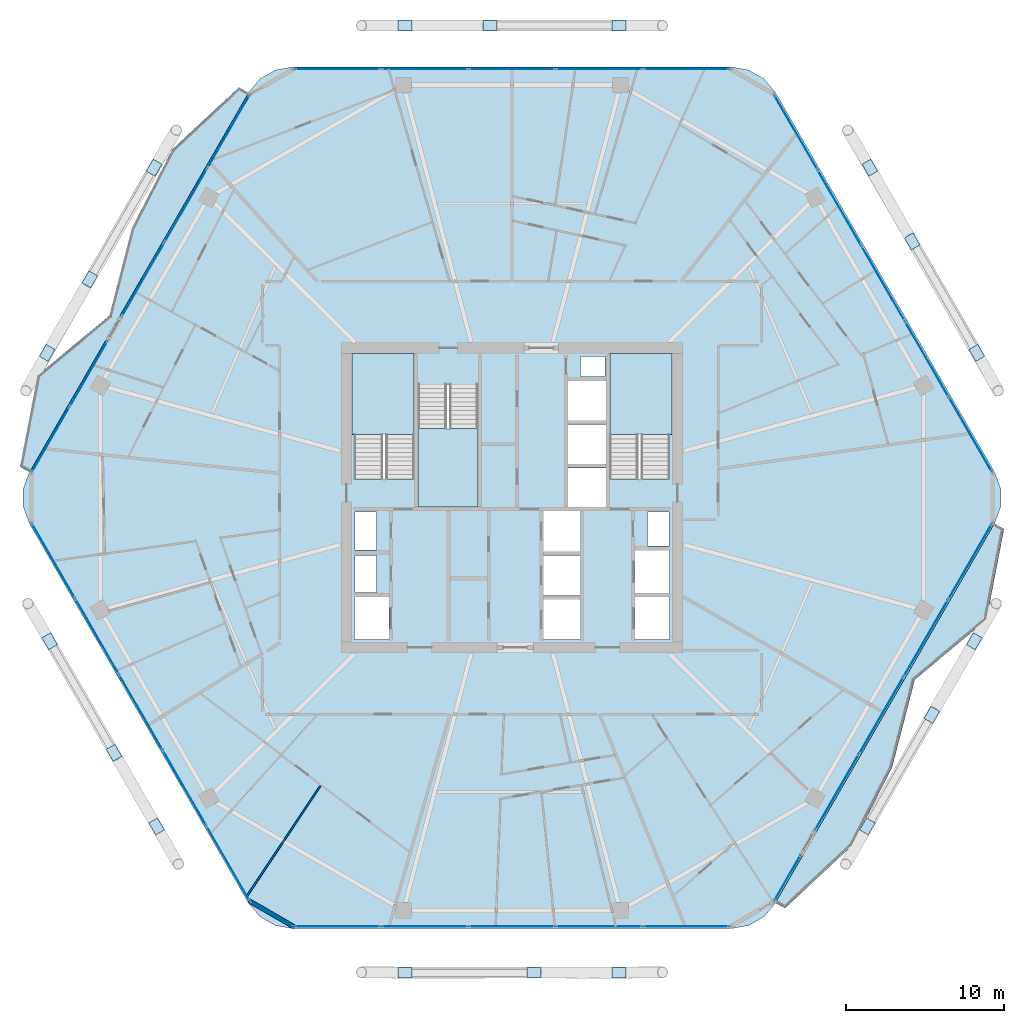
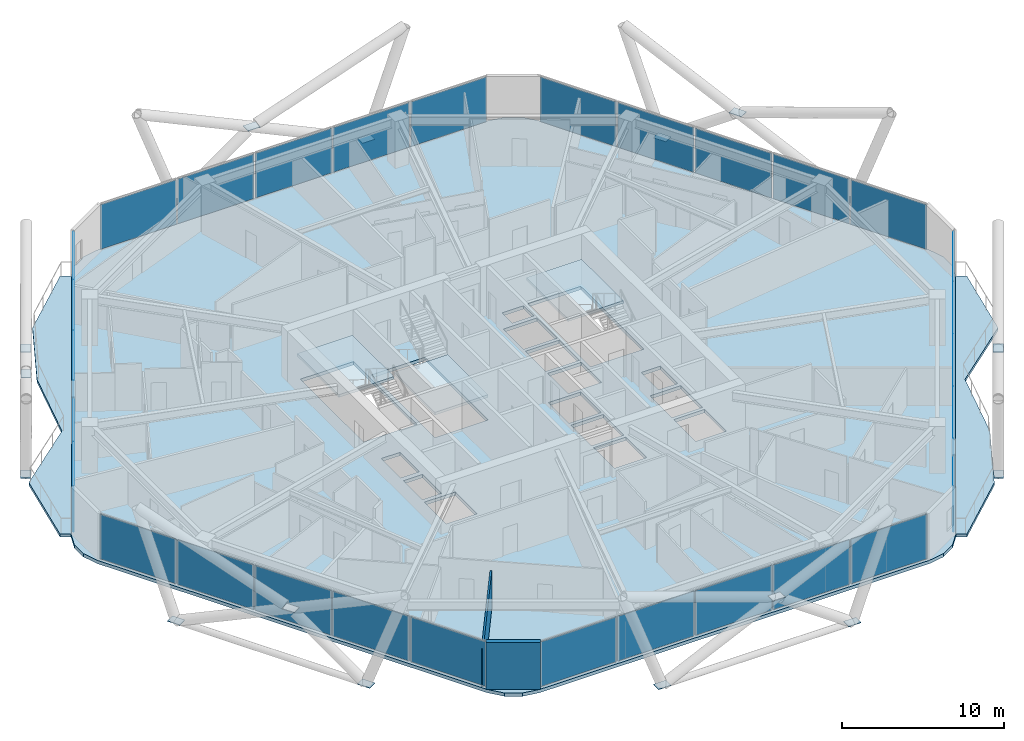
# One storey, part 19 of 28: 48 plates, 6 slabs, 2 walls, 11 elements without a shape of their own.
"""IFC4 building model written with IfcOpenShell, lengths in metres."""

from ifc_helpers import new_model, si_unit, direction, frame, frame_2d, origin, origin_2d, place, context, subcontext, project, spatial, polyline, rectangle, outline, extrude, material, layer, layer_set, type_object, element, aggregate, save


model = new_model("IFC4")

# Units and contexts
model_context = context("Model", 3, precision=1e-05, world=origin(), true_north=direction((0.0, 1.0)))
body_context = subcontext(model_context, "Body", "Model", "MODEL_VIEW")
ifc_project = project(units=[si_unit("LENGTHUNIT", "METRE"), si_unit("AREAUNIT", "SQUARE_METRE"), si_unit("VOLUMEUNIT", "CUBIC_METRE"), si_unit("PLANEANGLEUNIT", "RADIAN"), si_unit("MASSUNIT", "GRAM", prefix="KILO")], contexts=[model_context])

# Site, building, storey
site_placement = place(None, origin())
site = spatial("IfcSite", under=ifc_project, at=site_placement, CompositionType="ELEMENT")
building_placement = place(site_placement, origin())
building = spatial("IfcBuilding", under=site, at=building_placement, Name="Zuhravey Tower", CompositionType="ELEMENT")
storey_placement = place(building_placement, frame((0.0, 0.0, 154.199951171875)))
storey = spatial("IfcBuildingStorey", under=building, at=storey_placement, Name="L38", CompositionType="ELEMENT", Elevation=154.199951171875)

# Plates
ifc_material_1 = material(Name="Steel SM460", Category="steel")
ifc_layer_1 = layer(ifc_material_1, 0.035888671875)
ifc_layer_set_1 = layer_set([ifc_layer_1], Name="Steel SM460")
plate_type_1 = type_object("IfcPlateType", Name="Exoskeleton Zone 2 Node Plate ND2", PredefinedType="SHEET", material=ifc_layer_set_1)
for number, where, z_axis, x_axis, name in (
    (1, (65.477783203125, 41.189208984375, -0.48193359375), (0.0, 0.0, 1.0), (-0.5, 0.866025403784, 0.0), "L38 Exoskeleton Node Gusset L38-01"),
    (2, (58.697021484375, 52.93408203125, -0.48193359375), (0.0, 0.0, 1.0), (-0.5, 0.866025403784, 0.0), "L38 Exoskeleton Node Gusset L38-02"),
    (3, (42.781005859375, 61.943115234375, -0.48193359375), (0.0, 0.0, 1.0), (-1.0, 0.0, 0.0), "L38 Exoskeleton Node Gusset L38-03"),
    (4, (29.218994140625, 61.943115234375, -0.48193359375), (0.0, 0.0, 1.0), (-1.0, 0.0, 0.0), "L38 Exoskeleton Node Gusset L38-04"),
    (5, (13.302978515625, 52.93408203125, -0.48193359375), (0.0, 0.0, 1.0), (-0.5, -0.866025403784, 0.0), "L38 Exoskeleton Node Gusset L38-05"),
    (6, (6.522216796875, 41.189208984375, -0.48193359375), (0.0, 0.0, 1.0), (-0.5, -0.866025403784, 0.0), "L38 Exoskeleton Node Gusset L38-06"),
    (7, (6.677978515625, 22.90087890625, -0.48193359375), (0.0, 0.0, 1.0), (0.5, -0.866025403784, 0.0), "L38 Exoskeleton Node Gusset L38-07"),
    (8, (13.458984375, 11.156005859375, -0.48193359375), (0.0, 0.0, 1.0), (0.5, -0.866025403784, 0.0), "L38 Exoskeleton Node Gusset L38-08"),
    (9, (29.218994140625, 1.876953125, -0.48193359375), (0.0, 0.0, 1.0), (1.0, 0.0, 0.0), "L38 Exoskeleton Node Gusset L38-09"),
    (10, (42.781005859375, 1.876953125, -0.48193359375), (0.0, 0.0, 1.0), (1.0, 0.0, 0.0), "L38 Exoskeleton Node Gusset L38-10"),
    (11, (58.541015625, 11.156005859375, -0.48193359375), (0.0, 0.0, 1.0), (0.5, 0.866025403784, 0.0), "L38 Exoskeleton Node Gusset L38-11"),
    (12, (65.322021484375, 22.90087890625, -0.48193359375), (0.0, 0.0, 1.0), (0.5, 0.866025403784, 0.0), "L38 Exoskeleton Node Gusset L38-12"),
    (13, (61.380859375, 48.25537109375, 3.31787109375), (0.0, 0.0, 1.0), (-0.5, 0.866025403784, 0.0), "L38 Face 1 Diagrid X-Crossing Plate"),
    (14, (34.613037109375, 61.943115234375, 3.31787109375), (0.0, 0.0, 1.0), (-1.0, 0.0, 0.0), "L38 Face 2 Diagrid X-Crossing Plate"),
    (15, (9.232177734375, 45.852783203125, 3.31787109375), (0.0, 0.0, 1.0), (-0.5, -0.866025403784, 0.0), "L38 Face 3 Diagrid X-Crossing Plate"),
    (16, (10.761962890625, 15.8271484375, 3.31787109375), (0.0, 0.0, 1.0), (0.5, -0.866025403784, 0.0), "L38 Face 4 Diagrid X-Crossing Plate"),
    (17, (37.386962890625, 1.891845703125, 3.31787109375), (0.0, 0.0, 1.0), (1.0, 0.0, 0.0), "L38 Face 5 Diagrid X-Crossing Plate"),
    (18, (62.625, 18.2294921875, 3.31787109375), (0.0, 0.0, 1.0), (0.5, 0.866025403784, 0.0), "L38 Face 6 Diagrid X-Crossing Plate"),
):
    element("IfcPlate", number, at=place(storey_placement, frame(where, z_axis=z_axis, x_axis=x_axis)), inside=storey, type_object=plate_type_1, Name=name, PredefinedType="SHEET", context=body_context, shape_type="SweptSolid", body=[
        extrude(rectangle(XDim=0.8798828125, YDim=0.639892578125, at=origin_2d()), origin(), (0.0, 0.0, 1.0), 0.035888671875),
    ])

# Slabs
ifc_material_2 = material(Name="Concrete C50/60", Category="concrete")
ifc_layer_2 = layer(ifc_material_2, 0.25)
ifc_layer_set_2 = layer_set([ifc_layer_2], Name="Concrete C50/60")
slab_type_1 = type_object("IfcSlabType", Name="Residential Acoustic Slab 250", PredefinedType="FLOOR", material=ifc_layer_set_2)
slab_1_placement = place(storey_placement, frame((0.0, 0.0, -0.25)))
element("IfcSlab", 19, at=slab_1_placement, inside=storey, type_object=slab_type_1, Name="L38 Floor Slab FS25", PredefinedType="FLOOR", context=body_context, shape_type="SweptSolid", body=[
    extrude(outline(polyline([(66.61181640625, 30.375), (66.997802734375, 31.435546875), (66.997802734375, 32.564453125), (66.61181640625, 33.625), (52.713134765625, 57.697998046875), (51.98779296875, 58.562744140625), (51.01025390625, 59.127197265625), (49.898681640625, 59.322998046875), (22.101318359375, 59.322998046875), (20.98974609375, 59.127197265625), (20.01220703125, 58.562744140625), (19.286865234375, 57.697998046875), (5.38818359375, 33.625), (5.002197265625, 32.564453125), (5.002197265625, 31.435546875), (5.38818359375, 30.375), (19.286865234375, 6.302001953125), (20.01220703125, 5.437255859375), (20.98974609375, 4.872802734375), (22.101318359375, 4.677001953125), (49.898681640625, 4.677001953125), (51.01025390625, 4.872802734375), (51.98779296875, 5.437255859375), (52.713134765625, 6.302001953125), (66.61181640625, 30.375)]), holes=[polyline([(29.800048828125, 33.20068359375), (29.800048828125, 41.0), (26.0, 41.0), (26.0, 33.20068359375), (29.800048828125, 33.20068359375)]), polyline([(46.0, 33.20068359375), (46.0, 41.0), (42.199951171875, 41.0), (42.199951171875, 33.20068359375), (46.0, 33.20068359375)]), polyline([(30.050048828125, 39.199462890625), (30.050048828125, 31.39990234375), (33.85009765625, 31.39990234375), (33.85009765625, 39.199462890625), (30.050048828125, 39.199462890625)]), polyline([(38.0, 23.0), (40.300048828125, 23.0), (40.300048828125, 25.550048828125), (38.0, 25.550048828125), (38.0, 23.0)]), polyline([(38.0, 25.800048828125), (40.300048828125, 25.800048828125), (40.300048828125, 28.35009765625), (38.0, 28.35009765625), (38.0, 25.800048828125)]), polyline([(38.0, 28.60009765625), (40.300048828125, 28.60009765625), (40.300048828125, 31.14990234375), (38.0, 31.14990234375), (38.0, 28.60009765625)]), polyline([(39.550048828125, 31.39990234375), (41.949951171875, 31.39990234375), (41.949951171875, 33.89990234375), (39.550048828125, 33.89990234375), (39.550048828125, 31.39990234375)]), polyline([(39.550048828125, 34.14990234375), (41.949951171875, 34.14990234375), (41.949951171875, 36.64990234375), (39.550048828125, 36.64990234375), (39.550048828125, 34.14990234375)]), polyline([(39.550048828125, 36.89990234375), (41.949951171875, 36.89990234375), (41.949951171875, 39.39990234375), (39.550048828125, 39.39990234375), (39.550048828125, 36.89990234375)]), polyline([(26.0, 23.0), (28.199951171875, 23.0), (28.199951171875, 25.699951171875), (26.0, 25.699951171875), (26.0, 23.0)]), polyline([(43.800048828125, 23.0), (46.0, 23.0), (46.0, 25.699951171875), (43.800048828125, 25.699951171875), (43.800048828125, 23.0)]), polyline([(43.800048828125, 25.949951171875), (46.0, 25.949951171875), (46.0, 28.64990234375), (43.800048828125, 28.64990234375), (43.800048828125, 25.949951171875)]), polyline([(26.050048828125, 26.0), (27.39990234375, 26.0), (27.39990234375, 28.35009765625), (26.050048828125, 28.35009765625), (26.050048828125, 26.0)]), polyline([(26.050048828125, 28.699951171875), (27.39990234375, 28.699951171875), (27.39990234375, 31.10009765625), (26.050048828125, 31.10009765625), (26.050048828125, 28.699951171875)]), polyline([(44.60009765625, 28.949951171875), (45.949951171875, 28.949951171875), (45.949951171875, 31.10009765625), (44.60009765625, 31.10009765625), (44.60009765625, 28.949951171875)]), polyline([(40.35009765625, 39.699951171875), (41.89990234375, 39.699951171875), (41.89990234375, 40.949951171875), (40.35009765625, 40.949951171875), (40.35009765625, 39.699951171875)])]), origin(), (0.0, 0.0, 1.0), 0.25),
])
ifc_material_3 = material(Name="Concrete C40/50", Category="concrete")
ifc_layer_3 = layer(ifc_material_3, 0.219970703125)
ifc_layer_set_3 = layer_set([ifc_layer_3], Name="Concrete C40/50")
slab_type_2 = type_object("IfcSlabType", Name="Sinusoidal Residential Wave Balcony 220", PredefinedType="FLOOR", material=ifc_layer_set_3)
slab_2_placement = place(storey_placement, frame((0.0, 0.0, -0.219970703125)))
element("IfcSlab", 20, at=slab_2_placement, inside=storey, type_object=slab_type_2, Name="L38 Face 3 Wave Balcony WB22", PredefinedType="FLOOR", context=body_context, shape_type="SweptSolid", body=[
    extrude(outline(polyline([(19.29541015625, 57.68310546875), (5.405517578125, 33.625), (4.79931640625, 33.97509765625), (5.91064453125, 39.748779296875), (10.458984375, 43.538330078125), (11.900634765625, 49.12158203125), (14.441650390625, 54.070068359375), (18.689208984375, 58.033203125), (19.29541015625, 57.68310546875)])), origin(), (0.0, 0.0, 1.0), 0.219970703125),
])
slab_3_placement = place(storey_placement, frame((0.0, 0.0, -0.219970703125)))
element("IfcSlab", 21, at=slab_3_placement, inside=storey, type_object=slab_type_2, Name="L38 Face 6 Wave Balcony WB22", PredefinedType="FLOOR", context=body_context, shape_type="SweptSolid", body=[
    extrude(outline(polyline([(52.70458984375, 6.31689453125), (66.594482421875, 30.375), (67.20068359375, 30.02490234375), (66.08935546875, 24.251220703125), (61.541015625, 20.461669921875), (60.099365234375, 14.87841796875), (57.558349609375, 9.929931640625), (53.310791015625, 5.966796875), (52.70458984375, 6.31689453125)])), origin(), (0.0, 0.0, 1.0), 0.219970703125),
])

# Stair, slab
stair_type = type_object("IfcStairType", Name="Housing Storey Stair Assembly 3800", PredefinedType="HALF_TURN_STAIR", material=ifc_material_3)
stair_1_placement = place(storey_placement, origin())
stair_1 = element("IfcStair", 22, at=stair_1_placement, inside=storey, type_object=stair_type, Name="L38 Core Exit Stair ST1", PredefinedType="HALF_TURN_STAIR")
ifc_layer_4 = layer(ifc_material_3, 0.199951171875)
ifc_layer_set_4 = layer_set([ifc_layer_4], Name="Concrete C40/50")
slab_type_3 = type_object("IfcSlabType", Name="Stair Landing Slab 200", PredefinedType="LANDING", material=ifc_layer_set_4)
slab_4_placement = place(storey_placement, frame((0.0, 0.0, 1.699951171875)))
slab_4 = element("IfcSlab", 23, at=slab_4_placement, type_object=slab_type_3, Name="ST1 landing 1", PredefinedType="LANDING", context=body_context, shape_type="SweptSolid", body=[
    extrude(outline(polyline([(29.800048828125, 36.0), (29.800048828125, 41.14794921875), (25.85205078125, 41.14794921875), (25.85205078125, 36.0), (29.800048828125, 36.0)])), origin(), (0.0, 0.0, 1.0), 0.2001953125),
])
aggregate(stair_1, [slab_4])

stair_2_placement = place(storey_placement, origin())
stair_2 = element("IfcStair", 24, at=stair_2_placement, inside=storey, type_object=stair_type, Name="L38 Core Exit Stair ST2", PredefinedType="HALF_TURN_STAIR")
slab_5_placement = place(storey_placement, frame((0.0, 0.0, 1.699951171875)))
slab_5 = element("IfcSlab", 25, at=slab_5_placement, type_object=slab_type_3, Name="ST2 landing 1", PredefinedType="LANDING", context=body_context, shape_type="SweptSolid", body=[
    extrude(outline(polyline([(46.14794921875, 36.0), (46.14794921875, 41.14794921875), (42.199951171875, 41.14794921875), (42.199951171875, 36.0), (46.14794921875, 36.0)])), origin(), (0.0, 0.0, 1.0), 0.2001953125),
])
aggregate(stair_2, [slab_5])

stair_3_placement = place(storey_placement, origin())
stair_3 = element("IfcStair", 26, at=stair_3_placement, inside=storey, type_object=stair_type, Name="L38 Core Exit Stair ST3", PredefinedType="HALF_TURN_STAIR")
slab_6_placement = place(storey_placement, frame((0.0, 0.0, 1.699951171875)))
slab_6 = element("IfcSlab", 27, at=slab_6_placement, type_object=slab_type_3, Name="ST3 landing 1", PredefinedType="LANDING", context=body_context, shape_type="SweptSolid", body=[
    extrude(outline(polyline([(30.050048828125, 36.39990234375), (30.050048828125, 31.39990234375), (33.85009765625, 31.39990234375), (33.85009765625, 36.39990234375), (30.050048828125, 36.39990234375)])), origin(), (0.0, 0.0, 1.0), 0.2001953125),
])
aggregate(stair_3, [slab_6])

# Curtain wall, plates
ifc_material_4 = material(Name="Thermally broken anodised aluminium", Category="aluminium")
curtain_wall_type = type_object("IfcCurtainWallType", Name="Zone 1-2 Residential Curtain Wall CW3", PredefinedType="NOTDEFINED", material=ifc_material_4)
curtain_wall_1_placement = place(storey_placement, origin())
curtain_wall_1 = element("IfcCurtainWall", 28, at=curtain_wall_1_placement, inside=storey, type_object=curtain_wall_type, Name="L38 CW3 CW-L38-F6-1", PredefinedType="NOTDEFINED")
ifc_material_5 = material(Name="Triple low-E insulated vision glass", Category="glass")
ifc_layer_5 = layer(ifc_material_5, 0.0419921875)
ifc_layer_set_5 = layer_set([ifc_layer_5], Name="Triple low-E insulated vision glass")
plate_type_2 = type_object("IfcPlateType", Name="Triple Low-E Vision Panel", PredefinedType="CURTAIN_PANEL", material=ifc_layer_set_5)
plate_1_placement = place(storey_placement, frame((65.050048828125, 27.949951171875, 0.090087890625), z_axis=(0.0, 0.0, 1.0), x_axis=(-0.500001690536, -0.866024427751, 0.0)))
plate_1 = element("IfcPlate", 29, at=plate_1_placement, type_object=plate_type_2, Name="CW3 panel 1.1", PredefinedType="CURTAIN_PANEL", context=body_context, shape_type="SweptSolid", body=[
    extrude(rectangle(XDim=5.5068359375, YDim=0.0419921875, at=origin_2d()), origin(), (0.0, 0.0, 1.0), 3.3701171875),
])
plate_2_placement = place(storey_placement, frame((62.240234375, 23.08349609375, 0.090087890625), z_axis=(0.0, 0.0, 1.0), x_axis=(-0.500001690536, -0.866024427751, 0.0)))
plate_2 = element("IfcPlate", 30, at=plate_2_placement, type_object=plate_type_2, Name="CW3 panel 2.1", PredefinedType="CURTAIN_PANEL", context=body_context, shape_type="SweptSolid", body=[
    extrude(rectangle(XDim=5.552001953125, YDim=0.0419921875, at=origin_2d()), origin(), (0.0, 0.0, 1.0), 3.3701171875),
])
plate_3_placement = place(storey_placement, frame((59.41943359375, 18.197265625, 0.090087890625), z_axis=(0.0, 0.0, 1.0), x_axis=(-0.500001690536, -0.866024427751, 0.0)))
plate_3 = element("IfcPlate", 31, at=plate_3_placement, type_object=plate_type_2, Name="CW3 panel 3.1", PredefinedType="CURTAIN_PANEL", context=body_context, shape_type="SweptSolid", body=[
    extrude(rectangle(XDim=5.552001953125, YDim=0.0419921875, at=origin_2d()), origin(), (0.0, 0.0, 1.0), 3.3701171875),
])
plate_4_placement = place(storey_placement, frame((56.609619140625, 13.330810546875, 0.090087890625), z_axis=(0.0, 0.0, 1.0), x_axis=(-0.500001690536, -0.866024427751, 0.0)))
plate_4 = element("IfcPlate", 32, at=plate_4_placement, type_object=plate_type_2, Name="CW3 panel 4.1", PredefinedType="CURTAIN_PANEL", context=body_context, shape_type="SweptSolid", body=[
    extrude(rectangle(XDim=5.5068359375, YDim=0.0419921875, at=origin_2d()), origin(), (0.0, 0.0, 1.0), 3.3701171875),
])
aggregate(curtain_wall_1, [plate_1, plate_2, plate_3, plate_4])

# Curtain wall, plate
curtain_wall_2_placement = place(storey_placement, origin())
curtain_wall_2 = element("IfcCurtainWall", 33, at=curtain_wall_2_placement, inside=storey, type_object=curtain_wall_type, Name="L38 CW3 CW-L38-F6-2", PredefinedType="NOTDEFINED")
plate_5_placement = place(storey_placement, frame((53.474365234375, 7.900146484375, 0.090087890625), z_axis=(0.0, 0.0, 1.0), x_axis=(-0.499987233866, -0.86603277419, 0.0)))
plate_5 = element("IfcPlate", 34, at=plate_5_placement, type_object=plate_type_2, Name="CW3 panel 1.1", PredefinedType="CURTAIN_PANEL", context=body_context, shape_type="SweptSolid", body=[
    extrude(rectangle(XDim=3.2744140625, YDim=0.0419921875, at=origin_2d()), origin(), (0.0, 0.0, 1.0), 3.3701171875),
])
aggregate(curtain_wall_2, [plate_5])

# Curtain wall, plates
curtain_wall_3_placement = place(storey_placement, origin())
curtain_wall_3 = element("IfcCurtainWall", 35, at=curtain_wall_3_placement, inside=storey, type_object=curtain_wall_type, Name="L38 CW3 CW-L38-F5-1", PredefinedType="NOTDEFINED")
plate_6_placement = place(storey_placement, frame((47.06640625, 4.81689453125, 0.090087890625), z_axis=(0.0, 0.0, 1.0), x_axis=(-1.0, 0.0, 0.0)))
plate_6 = element("IfcPlate", 36, at=plate_6_placement, type_object=plate_type_2, Name="CW3 panel 1.1", PredefinedType="CURTAIN_PANEL", context=body_context, shape_type="SweptSolid", body=[
    extrude(rectangle(XDim=5.409423828125, YDim=0.0419921875, at=origin_2d()), origin(), (0.0, 0.0, 1.0), 3.3701171875),
])
plate_7_placement = place(storey_placement, frame((41.54443359375, 4.81689453125, 0.090087890625), z_axis=(0.0, 0.0, 1.0), x_axis=(-1.0, 0.0, 0.0)))
plate_7 = element("IfcPlate", 37, at=plate_7_placement, type_object=plate_type_2, Name="CW3 panel 2.1", PredefinedType="CURTAIN_PANEL", context=body_context, shape_type="SweptSolid", body=[
    extrude(rectangle(XDim=5.454345703125, YDim=0.0419921875, at=origin_2d()), origin(), (0.0, 0.0, 1.0), 3.3701171875),
])
plate_8_placement = place(storey_placement, frame((36.0, 4.81689453125, 0.090087890625), z_axis=(0.0, 0.0, 1.0), x_axis=(-1.0, 0.0, 0.0)))
plate_8 = element("IfcPlate", 38, at=plate_8_placement, type_object=plate_type_2, Name="CW3 panel 3.1", PredefinedType="CURTAIN_PANEL", context=body_context, shape_type="SweptSolid", body=[
    extrude(rectangle(XDim=5.454345703125, YDim=0.0419921875, at=origin_2d()), origin(), (0.0, 0.0, 1.0), 3.3701171875),
])
plate_9_placement = place(storey_placement, frame((30.45556640625, 4.81689453125, 0.090087890625), z_axis=(0.0, 0.0, 1.0), x_axis=(-1.0, 0.0, 0.0)))
plate_9 = element("IfcPlate", 39, at=plate_9_placement, type_object=plate_type_2, Name="CW3 panel 4.1", PredefinedType="CURTAIN_PANEL", context=body_context, shape_type="SweptSolid", body=[
    extrude(rectangle(XDim=5.454345703125, YDim=0.0419921875, at=origin_2d()), origin(), (0.0, 0.0, 1.0), 3.3701171875),
])
plate_10_placement = place(storey_placement, frame((24.93359375, 4.81689453125, 0.090087890625), z_axis=(0.0, 0.0, 1.0), x_axis=(-1.0, 0.0, 0.0)))
plate_10 = element("IfcPlate", 40, at=plate_10_placement, type_object=plate_type_2, Name="CW3 panel 5.1", PredefinedType="CURTAIN_PANEL", context=body_context, shape_type="SweptSolid", body=[
    extrude(rectangle(XDim=5.409423828125, YDim=0.0419921875, at=origin_2d()), origin(), (0.0, 0.0, 1.0), 3.3701171875),
])
aggregate(curtain_wall_3, [plate_6, plate_7, plate_8, plate_9, plate_10])

curtain_wall_4_placement = place(storey_placement, origin())
curtain_wall_4 = element("IfcCurtainWall", 41, at=curtain_wall_4_placement, inside=storey, type_object=curtain_wall_type, Name="L38 CW3 CW-L38-F4-1", PredefinedType="NOTDEFINED")
plate_11_placement = place(storey_placement, frame((17.991943359375, 8.82470703125, 0.090087890625), z_axis=(0.0, 0.0, 1.0), x_axis=(-0.500000459979, 0.866025138215, 0.0)))
plate_11 = element("IfcPlate", 42, at=plate_11_placement, type_object=plate_type_2, Name="CW3 panel 1.1", PredefinedType="CURTAIN_PANEL", context=body_context, shape_type="SweptSolid", body=[
    extrude(rectangle(XDim=5.409423828125, YDim=0.0419921875, at=origin_2d()), origin(), (0.0, 0.0, 1.0), 3.3701171875),
])
plate_12_placement = place(storey_placement, frame((15.23095703125, 13.60693359375, 0.090087890625), z_axis=(0.0, 0.0, 1.0), x_axis=(-0.500000459979, 0.866025138215, 0.0)))
plate_12 = element("IfcPlate", 43, at=plate_12_placement, type_object=plate_type_2, Name="CW3 panel 2.1", PredefinedType="CURTAIN_PANEL", context=body_context, shape_type="SweptSolid", body=[
    extrude(rectangle(XDim=5.454345703125, YDim=0.0419921875, at=origin_2d()), origin(), (0.0, 0.0, 1.0), 3.3701171875),
])
plate_13_placement = place(storey_placement, frame((12.458740234375, 18.408447265625, 0.090087890625), z_axis=(0.0, 0.0, 1.0), x_axis=(-0.500000459979, 0.866025138215, 0.0)))
plate_13 = element("IfcPlate", 44, at=plate_13_placement, type_object=plate_type_2, Name="CW3 panel 3.1", PredefinedType="CURTAIN_PANEL", context=body_context, shape_type="SweptSolid", body=[
    extrude(rectangle(XDim=5.454345703125, YDim=0.0419921875, at=origin_2d()), origin(), (0.0, 0.0, 1.0), 3.3701171875),
])
plate_14_placement = place(storey_placement, frame((9.6865234375, 23.2099609375, 0.090087890625), z_axis=(0.0, 0.0, 1.0), x_axis=(-0.500000459979, 0.866025138215, 0.0)))
plate_14 = element("IfcPlate", 45, at=plate_14_placement, type_object=plate_type_2, Name="CW3 panel 4.1", PredefinedType="CURTAIN_PANEL", context=body_context, shape_type="SweptSolid", body=[
    extrude(rectangle(XDim=5.454345703125, YDim=0.0419921875, at=origin_2d()), origin(), (0.0, 0.0, 1.0), 3.3701171875),
])
plate_15_placement = place(storey_placement, frame((6.925537109375, 27.9921875, 0.090087890625), z_axis=(0.0, 0.0, 1.0), x_axis=(-0.500000459979, 0.866025138215, 0.0)))
plate_15 = element("IfcPlate", 46, at=plate_15_placement, type_object=plate_type_2, Name="CW3 panel 5.1", PredefinedType="CURTAIN_PANEL", context=body_context, shape_type="SweptSolid", body=[
    extrude(rectangle(XDim=5.409423828125, YDim=0.0419921875, at=origin_2d()), origin(), (0.0, 0.0, 1.0), 3.3701171875),
])
aggregate(curtain_wall_4, [plate_11, plate_12, plate_13, plate_14, plate_15])

curtain_wall_5_placement = place(storey_placement, origin())
curtain_wall_5 = element("IfcCurtainWall", 47, at=curtain_wall_5_placement, inside=storey, type_object=curtain_wall_type, Name="L38 CW3 CW-L38-F3-1", PredefinedType="NOTDEFINED")
plate_16_placement = place(storey_placement, frame((6.75146484375, 35.706298828125, 0.090087890625), z_axis=(0.0, 0.0, 1.0), x_axis=(0.499998013631, 0.866026550612, 0.0)))
plate_16 = element("IfcPlate", 48, at=plate_16_placement, type_object=plate_type_2, Name="CW3 panel 1.1", PredefinedType="CURTAIN_PANEL", context=body_context, shape_type="SweptSolid", body=[
    extrude(rectangle(XDim=4.713134765625, YDim=0.0419921875, at=origin_2d()), origin(), (0.0, 0.0, 1.0), 3.3701171875),
])
plate_17_placement = place(storey_placement, frame((9.153076171875, 39.865966796875, 0.090087890625), z_axis=(0.0, 0.0, 1.0), x_axis=(0.499998013631, 0.866026550612, 0.0)))
plate_17 = element("IfcPlate", 49, at=plate_17_placement, type_object=plate_type_2, Name="CW3 panel 2.1", PredefinedType="CURTAIN_PANEL", context=body_context, shape_type="SweptSolid", body=[
    extrude(rectangle(XDim=4.713134765625, YDim=0.0419921875, at=origin_2d()), origin(), (0.0, 0.0, 1.0), 3.3701171875),
])
aggregate(curtain_wall_5, [plate_16, plate_17])

curtain_wall_6_placement = place(storey_placement, origin())
curtain_wall_6 = element("IfcCurtainWall", 50, at=curtain_wall_6_placement, inside=storey, type_object=curtain_wall_type, Name="L38 CW3 CW-L38-F3-2", PredefinedType="NOTDEFINED")
plate_18_placement = place(storey_placement, frame((12.59814453125, 45.832763671875, 0.090087890625), z_axis=(0.0, 0.0, 1.0), x_axis=(0.500000815378, 0.866024933025, 0.0)))
plate_18 = element("IfcPlate", 51, at=plate_18_placement, type_object=plate_type_2, Name="CW3 panel 1.1", PredefinedType="CURTAIN_PANEL", context=body_context, shape_type="SweptSolid", body=[
    extrude(rectangle(XDim=5.306884765625, YDim=0.0419921875, at=origin_2d()), origin(), (0.0, 0.0, 1.0), 3.3701171875),
])
plate_19_placement = place(storey_placement, frame((15.307861328125, 50.5263671875, 0.090087890625), z_axis=(0.0, 0.0, 1.0), x_axis=(0.500000815378, 0.866024933025, 0.0)))
plate_19 = element("IfcPlate", 52, at=plate_19_placement, type_object=plate_type_2, Name="CW3 panel 2.1", PredefinedType="CURTAIN_PANEL", context=body_context, shape_type="SweptSolid", body=[
    extrude(rectangle(XDim=5.35205078125, YDim=0.0419921875, at=origin_2d()), origin(), (0.0, 0.0, 1.0), 3.3701171875),
])
plate_20_placement = place(storey_placement, frame((18.017578125, 55.2197265625, 0.090087890625), z_axis=(0.0, 0.0, 1.0), x_axis=(0.500000815378, 0.866024933025, 0.0)))
plate_20 = element("IfcPlate", 53, at=plate_20_placement, type_object=plate_type_2, Name="CW3 panel 3.1", PredefinedType="CURTAIN_PANEL", context=body_context, shape_type="SweptSolid", body=[
    extrude(rectangle(XDim=5.306884765625, YDim=0.0419921875, at=origin_2d()), origin(), (0.0, 0.0, 1.0), 3.3701171875),
])
aggregate(curtain_wall_6, [plate_18, plate_19, plate_20])

curtain_wall_7_placement = place(storey_placement, origin())
curtain_wall_7 = element("IfcCurtainWall", 54, at=curtain_wall_7_placement, inside=storey, type_object=curtain_wall_type, Name="L38 CW3 CW-L38-F2-1", PredefinedType="NOTDEFINED")
plate_21_placement = place(storey_placement, frame((24.93359375, 59.18310546875, 0.090087890625), z_axis=(0.0, 0.0, 1.0), x_axis=(1.0, 0.0, 0.0)))
plate_21 = element("IfcPlate", 55, at=plate_21_placement, type_object=plate_type_2, Name="CW3 panel 1.1", PredefinedType="CURTAIN_PANEL", context=body_context, shape_type="SweptSolid", body=[
    extrude(rectangle(XDim=5.409423828125, YDim=0.0419921875, at=origin_2d()), origin(), (0.0, 0.0, 1.0), 3.3701171875),
])
plate_22_placement = place(storey_placement, frame((30.45556640625, 59.18310546875, 0.090087890625), z_axis=(0.0, 0.0, 1.0), x_axis=(1.0, 0.0, 0.0)))
plate_22 = element("IfcPlate", 56, at=plate_22_placement, type_object=plate_type_2, Name="CW3 panel 2.1", PredefinedType="CURTAIN_PANEL", context=body_context, shape_type="SweptSolid", body=[
    extrude(rectangle(XDim=5.454345703125, YDim=0.0419921875, at=origin_2d()), origin(), (0.0, 0.0, 1.0), 3.3701171875),
])
plate_23_placement = place(storey_placement, frame((36.0, 59.18310546875, 0.090087890625), z_axis=(0.0, 0.0, 1.0), x_axis=(1.0, 0.0, 0.0)))
plate_23 = element("IfcPlate", 57, at=plate_23_placement, type_object=plate_type_2, Name="CW3 panel 3.1", PredefinedType="CURTAIN_PANEL", context=body_context, shape_type="SweptSolid", body=[
    extrude(rectangle(XDim=5.454345703125, YDim=0.0419921875, at=origin_2d()), origin(), (0.0, 0.0, 1.0), 3.3701171875),
])
plate_24_placement = place(storey_placement, frame((41.54443359375, 59.18310546875, 0.090087890625), z_axis=(0.0, 0.0, 1.0), x_axis=(1.0, 0.0, 0.0)))
plate_24 = element("IfcPlate", 58, at=plate_24_placement, type_object=plate_type_2, Name="CW3 panel 4.1", PredefinedType="CURTAIN_PANEL", context=body_context, shape_type="SweptSolid", body=[
    extrude(rectangle(XDim=5.454345703125, YDim=0.0419921875, at=origin_2d()), origin(), (0.0, 0.0, 1.0), 3.3701171875),
])
plate_25_placement = place(storey_placement, frame((47.06640625, 59.18310546875, 0.090087890625), z_axis=(0.0, 0.0, 1.0), x_axis=(1.0, 0.0, 0.0)))
plate_25 = element("IfcPlate", 59, at=plate_25_placement, type_object=plate_type_2, Name="CW3 panel 5.1", PredefinedType="CURTAIN_PANEL", context=body_context, shape_type="SweptSolid", body=[
    extrude(rectangle(XDim=5.409423828125, YDim=0.0419921875, at=origin_2d()), origin(), (0.0, 0.0, 1.0), 3.3701171875),
])
aggregate(curtain_wall_7, [plate_21, plate_22, plate_23, plate_24, plate_25])

curtain_wall_8_placement = place(storey_placement, origin())
curtain_wall_8 = element("IfcCurtainWall", 60, at=curtain_wall_8_placement, inside=storey, type_object=curtain_wall_type, Name="L38 CW3 CW-L38-F1-1", PredefinedType="NOTDEFINED")
plate_26_placement = place(storey_placement, frame((54.008056640625, 55.17529296875, 0.090087890625), z_axis=(0.0, 0.0, 1.0), x_axis=(0.500000459979, -0.866025138215, 0.0)))
plate_26 = element("IfcPlate", 61, at=plate_26_placement, type_object=plate_type_2, Name="CW3 panel 1.1", PredefinedType="CURTAIN_PANEL", context=body_context, shape_type="SweptSolid", body=[
    extrude(rectangle(XDim=5.409423828125, YDim=0.0419921875, at=origin_2d()), origin(), (0.0, 0.0, 1.0), 3.3701171875),
])
plate_27_placement = place(storey_placement, frame((56.76904296875, 50.39306640625, 0.090087890625), z_axis=(0.0, 0.0, 1.0), x_axis=(0.500000459979, -0.866025138215, 0.0)))
plate_27 = element("IfcPlate", 62, at=plate_27_placement, type_object=plate_type_2, Name="CW3 panel 2.1", PredefinedType="CURTAIN_PANEL", context=body_context, shape_type="SweptSolid", body=[
    extrude(rectangle(XDim=5.454345703125, YDim=0.0419921875, at=origin_2d()), origin(), (0.0, 0.0, 1.0), 3.3701171875),
])
plate_28_placement = place(storey_placement, frame((59.541259765625, 45.591552734375, 0.090087890625), z_axis=(0.0, 0.0, 1.0), x_axis=(0.500000459979, -0.866025138215, 0.0)))
plate_28 = element("IfcPlate", 63, at=plate_28_placement, type_object=plate_type_2, Name="CW3 panel 3.1", PredefinedType="CURTAIN_PANEL", context=body_context, shape_type="SweptSolid", body=[
    extrude(rectangle(XDim=5.454345703125, YDim=0.0419921875, at=origin_2d()), origin(), (0.0, 0.0, 1.0), 3.3701171875),
])
plate_29_placement = place(storey_placement, frame((62.3134765625, 40.7900390625, 0.090087890625), z_axis=(0.0, 0.0, 1.0), x_axis=(0.500000459979, -0.866025138215, 0.0)))
plate_29 = element("IfcPlate", 64, at=plate_29_placement, type_object=plate_type_2, Name="CW3 panel 4.1", PredefinedType="CURTAIN_PANEL", context=body_context, shape_type="SweptSolid", body=[
    extrude(rectangle(XDim=5.454345703125, YDim=0.0419921875, at=origin_2d()), origin(), (0.0, 0.0, 1.0), 3.3701171875),
])
plate_30_placement = place(storey_placement, frame((65.074462890625, 36.0078125, 0.090087890625), z_axis=(0.0, 0.0, 1.0), x_axis=(0.500000459979, -0.866025138215, 0.0)))
plate_30 = element("IfcPlate", 65, at=plate_30_placement, type_object=plate_type_2, Name="CW3 panel 5.1", PredefinedType="CURTAIN_PANEL", context=body_context, shape_type="SweptSolid", body=[
    extrude(rectangle(XDim=5.409423828125, YDim=0.0419921875, at=origin_2d()), origin(), (0.0, 0.0, 1.0), 3.3701171875),
])
aggregate(curtain_wall_8, [plate_26, plate_27, plate_28, plate_29, plate_30])

# Walls
ifc_material_6 = material(Name="Precast concrete C40/50", Category="concrete")
ifc_layer_6 = layer(ifc_material_6, 0.280029296875)
ifc_layer_set_6 = layer_set([ifc_layer_6], Name="Precast concrete C40/50")
wall_type_1 = type_object("IfcWallType", Name="Crown Architectural Wall 280", PredefinedType="SOLIDWALL", material=ifc_layer_set_6)
wall_1_placement = place(storey_placement, frame((22.22119140625, 4.769287109375, 0.0), z_axis=(0.0, 0.0, 1.0), x_axis=(-0.866020068361, 0.500009241111, 0.0)))
element("IfcWall", 66, at=wall_1_placement, inside=storey, type_object=wall_type_1, Name="L38 Rounded Corner Closure Wall EW28-04", PredefinedType="SOLIDWALL", context=body_context, shape_type="SweptSolid", body=[
    extrude(rectangle(XDim=3.365234375, YDim=0.280029296875, at=frame_2d((1.6826171875, 0.0))), origin(), (0.0, 0.0, 1.0), 3.550048828125),
])
ifc_material_7 = material(Name="Gypsum metal-stud partition")
ifc_layer_7 = layer(ifc_material_7, 0.1201171875)
ifc_layer_set_7 = layer_set([ifc_layer_7], Name="Gypsum metal-stud partition")
wall_type_2 = type_object("IfcWallType", Name="Unit Internal Partition 120", PredefinedType="PARTITIONING", material=ifc_layer_set_7)
wall_2_placement = place(storey_placement, frame((23.8427734375, 13.728759765625, 0.0), z_axis=(0.0, 0.0, 1.0), x_axis=(-0.553937627107, -0.832558169304, 0.0)))
element("IfcWall", 67, at=wall_2_placement, inside=storey, type_object=wall_type_2, Name="L38 IW12 Partition 094", PredefinedType="PARTITIONING", context=body_context, shape_type="SweptSolid", body=[
    extrude(rectangle(XDim=8.425048828125, YDim=0.1201171875, at=frame_2d((4.21240234375, 0.0))), origin(), (0.0, 0.0, 1.0), 2.8701171875),
])

save(model, "model.ifc")
